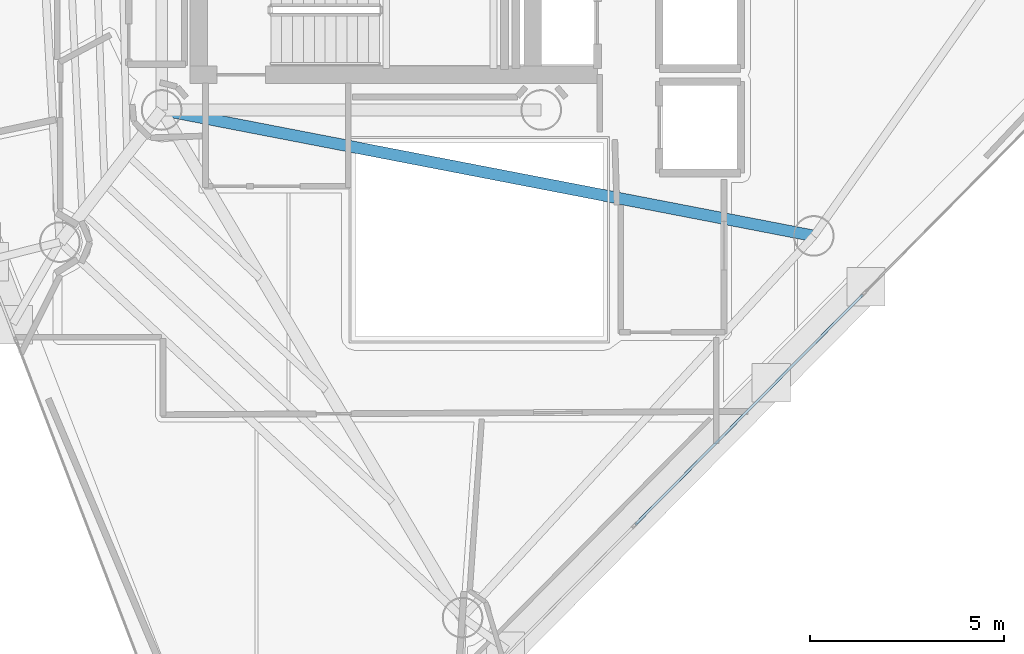
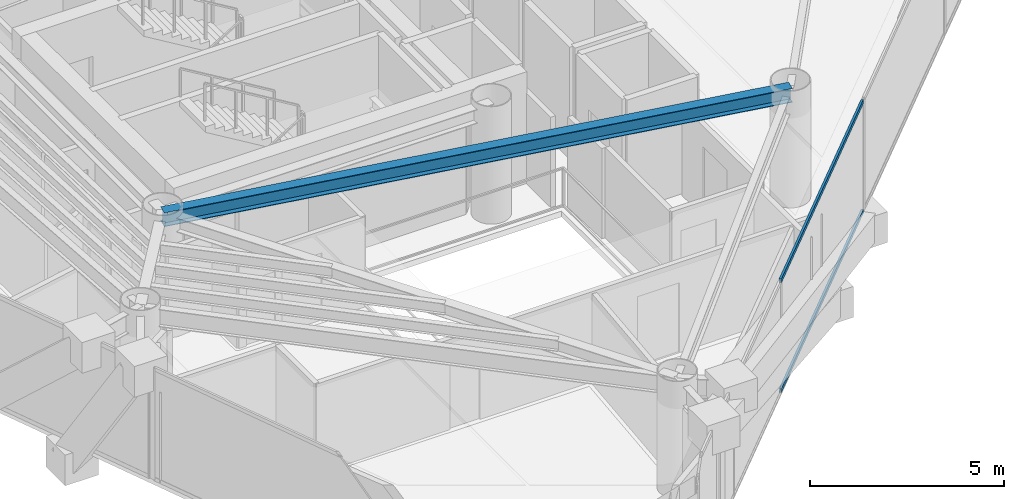
# One storey, part 5 of 20: 2 members, 1 beam, 1 element without a shape of its own.
"""IFC4 building model written with IfcOpenShell, lengths in metres."""

import ifcopenshell
import ifcopenshell.guid

model = None  # the IFC model being written
_history = None  # IfcOwnerHistory: only IFC2X3 demands one
_inside = {}  # id of a spatial element -> (the spatial element, [elements in it])
_under = {}  # id of a project, library or spatial element -> (it, [spatial elements below it])
_declared = {}  # id of a project -> (the project, [libraries it declares])
_typed = {}  # id of a type object -> (the type object, [elements of that type])
_made_of = {}  # id of a material, layer set ... -> (it, [elements and type objects made of it])


def new_model(schema):
    """Start an empty IFC model of exactly this schema.

    Asked for "IFC4X3", IfcOpenShell would pick the latest addendum, in which some entities
    have other attributes; the version numbers below select the first issue.
    IFC2X3 requires an IfcOwnerHistory on every rooted entity: one is made here for all.
    """
    global model, _history
    if schema == "IFC4X3":
        model = ifcopenshell.file(schema_version=(4, 3, 0, 0))
    else:
        model = ifcopenshell.file(schema=schema)
    _inside.clear()
    _under.clear()
    _declared.clear()
    _typed.clear()
    _made_of.clear()
    _history = None
    if model.schema == "IFC2X3":
        org = make("IfcOrganization", Name="unknown")
        user = make(
            "IfcPersonAndOrganization",
            ThePerson=make("IfcPerson", FamilyName="unknown"),
            TheOrganization=org,
        )
        app = make(
            "IfcApplication",
            ApplicationDeveloper=org,
            Version="unknown",
            ApplicationFullName="unknown",
            ApplicationIdentifier="unknown",
        )
        _history = make(
            "IfcOwnerHistory",
            OwningUser=user,
            OwningApplication=app,
            ChangeAction="ADDED",
            CreationDate=0,
        )
    return model


def make(cls, **values):
    """One entity of the class cls with the attributes given. An attribute that is None is left unset."""
    return model.create_entity(
        cls, **{name: value for name, value in values.items() if value is not None}
    )


def rooted(cls, **values):
    """An entity with a GlobalId (a new one), such as an element, a storey or a relation."""
    return make(cls, GlobalId=ifcopenshell.guid.new(), OwnerHistory=_history, **values)


def si_unit(unit_type, name, prefix=None):
    """IfcSIUnit, for example si_unit("LENGTHUNIT", "METRE", prefix="MILLI")."""
    return make("IfcSIUnit", UnitType=unit_type, Prefix=prefix, Name=name)


def assignment(units):
    """IfcUnitAssignment: the units of a project."""
    return None if units is None else make("IfcUnitAssignment", Units=units)


def point(xyz):
    """IfcCartesianPoint."""
    return None if xyz is None else make("IfcCartesianPoint", Coordinates=xyz)


def direction(xyz):
    """IfcDirection."""
    return None if xyz is None else make("IfcDirection", DirectionRatios=xyz)


def frame(location, z_axis=None, x_axis=None):
    """IfcAxis2Placement3D, a coordinate frame: its origin and axes. An axis left out is left unset."""
    return make(
        "IfcAxis2Placement3D",
        Location=point(location),
        Axis=direction(z_axis),
        RefDirection=direction(x_axis),
    )


def frame_2d(location, x_axis=None):
    """IfcAxis2Placement2D, a coordinate frame in the plane: its origin and x axis."""
    return make(
        "IfcAxis2Placement2D", Location=point(location), RefDirection=direction(x_axis)
    )


def origin():
    """The frame at (0, 0, 0) with its axes left unset."""
    return frame((0.0, 0.0, 0.0))


def origin_2d():
    """The frame at (0, 0) in the plane with its x axis left unset."""
    return frame_2d((0.0, 0.0))


def place(relative_to, where):
    """IfcLocalPlacement: puts the frame where relative to a parent placement (None: the world)."""
    return make(
        "IfcLocalPlacement", PlacementRelTo=relative_to, RelativePlacement=where
    )


def context(
    kind, dimensions, precision=None, world=None, true_north=None, identifier=None
):
    """IfcGeometricRepresentationContext, for example the 3D "Model" context."""
    return make(
        "IfcGeometricRepresentationContext",
        ContextIdentifier=identifier,
        ContextType=kind,
        CoordinateSpaceDimension=dimensions,
        Precision=precision,
        WorldCoordinateSystem=world,
        TrueNorth=true_north,
    )


def subcontext(parent, identifier, kind, view, scale=None):
    """IfcGeometricRepresentationSubContext, for example "Body" below "Model"."""
    return make(
        "IfcGeometricRepresentationSubContext",
        ContextIdentifier=identifier,
        ContextType=kind,
        ParentContext=parent,
        TargetScale=scale,
        TargetView=view,
    )


def project(units=None, contexts=None):
    """IfcProject with its units and contexts."""
    return rooted(
        "IfcProject",
        Name="project",
        RepresentationContexts=contexts,
        UnitsInContext=assignment(units),
    )


def spatial(cls, under=None, at=None, **own):
    """A site, building, storey or space (cls), placed at a placement, below another one or the project."""
    s = rooted(cls, ObjectPlacement=at, **own)
    if under is not None:
        _under.setdefault(under.id(), (under, []))[1].append(s)
    return s


def profile(cls, at=None, kind="AREA", **sizes):
    """A parametric profile (cls). Its sizes go by their IFC names, for example OverallWidth=200.0."""
    return make(cls, ProfileType=kind, Position=at, **sizes)


def hollow_rectangle(**sizes):
    """IfcRectangleHollowProfileDef."""
    return profile("IfcRectangleHollowProfileDef", **sizes)


def i_section(**sizes):
    """IfcIShapeProfileDef."""
    return profile("IfcIShapeProfileDef", **sizes)


def extrude(swept, where, along, depth):
    """IfcExtrudedAreaSolid: the profile swept, set in the frame where, extruded along a direction by depth."""
    return make(
        "IfcExtrudedAreaSolid",
        SweptArea=swept,
        Position=where,
        ExtrudedDirection=direction(along),
        Depth=depth,
    )


def shape(context_of_items, identifier, shape_type, items):
    """IfcShapeRepresentation: the items that make up one representation, for example the "Body"."""
    return make(
        "IfcShapeRepresentation",
        ContextOfItems=context_of_items,
        RepresentationIdentifier=identifier,
        RepresentationType=shape_type,
        Items=items,
    )


def material(Name=None, Category=None):
    """IfcMaterial."""
    return make("IfcMaterial", Name=Name, Category=Category)


def layer(
    of_material, thickness, ventilated=None, Name=None, Category=None, Priority=None
):
    """IfcMaterialLayer: one layer of a wall or slab, of a material (None: an air gap)."""
    return make(
        "IfcMaterialLayer",
        Material=of_material,
        LayerThickness=thickness,
        IsVentilated=ventilated,
        Name=Name,
        Category=Category,
        Priority=Priority,
    )


def layer_set(layers, Name=None):
    """IfcMaterialLayerSet."""
    return make("IfcMaterialLayerSet", MaterialLayers=layers, LayerSetName=Name)


def material_profile(
    of_material, cross_section, Name=None, Category=None, Priority=None
):
    """IfcMaterialProfile: a cross section and its material."""
    return make(
        "IfcMaterialProfile",
        Name=Name,
        Material=of_material,
        Profile=cross_section,
        Priority=Priority,
        Category=Category,
    )


def profile_set(profiles, Name=None, composite=None):
    """IfcMaterialProfileSet."""
    return make(
        "IfcMaterialProfileSet",
        Name=Name,
        MaterialProfiles=profiles,
        CompositeProfile=composite,
    )


def made_of(thing, what):
    """Note that an element or type object is made of a material, layer set ...; save() writes the relation."""
    if what is not None:
        _made_of.setdefault(what.id(), (what, []))[1].append(thing)
    return thing


def type_object(cls, material=None, **own):
    """A type object (cls), such as IfcWallType, which elements share."""
    return made_of(rooted(cls, **own), material)


def element(
    cls,
    number,
    at=None,
    inside=None,
    cuts=None,
    type_object=None,
    material=None,
    context=None,
    identifier="Body",
    shape_type=None,
    held_by="IfcProductDefinitionShape",
    body=None,
    shapes=None,
    **own,
):
    """One element of the class cls, such as IfcWall. Its Tag is "e" and its number.

    at: its placement. inside: the storey or other place that contains it. cuts: it is an
    opening in that element (IfcRelVoidsElement). A single representation is given by context,
    identifier, shape_type and body (its items); several are given by shapes. held_by: the class
    of the entity that holds the representations. save() writes the other relations.
    """
    e = rooted(cls, Tag="e%d" % number, ObjectPlacement=at, **own)
    if body is not None:
        shapes = [shape(context, identifier, shape_type, body)]
    if shapes is not None:
        e.Representation = make(held_by, Representations=shapes)
    if inside is not None:
        _inside.setdefault(inside.id(), (inside, []))[1].append(e)
    if cuts is not None:
        rooted(
            "IfcRelVoidsElement", RelatingBuildingElement=cuts, RelatedOpeningElement=e
        )
    if type_object is not None:
        _typed.setdefault(type_object.id(), (type_object, []))[1].append(e)
    return made_of(e, material)


def aggregate(whole, parts):
    """IfcRelAggregates: a whole, such as a stair, and the parts it consists of."""
    return rooted("IfcRelAggregates", RelatingObject=whole, RelatedObjects=parts)


def save(model, path):
    """Write the relations noted so far, then the file.

    IfcRelAggregates (storeys below a building ...), IfcRelContainedInSpatialStructure (elements
    in a storey), IfcRelDefinesByType, IfcRelAssociatesMaterial and IfcRelDeclares: one each for
    every whole, place, type object, material and project.
    """
    for whole, parts in _under.values():
        aggregate(whole, parts)
    for where, things in _inside.values():
        rooted(
            "IfcRelContainedInSpatialStructure",
            RelatedElements=things,
            RelatingStructure=where,
        )
    for kind, things in _typed.values():
        rooted("IfcRelDefinesByType", RelatedObjects=things, RelatingType=kind)
    for what, things in _made_of.values():
        rooted("IfcRelAssociatesMaterial", RelatedObjects=things, RelatingMaterial=what)
    for by, libraries in _declared.values():
        rooted("IfcRelDeclares", RelatingContext=by, RelatedDefinitions=libraries)
    model.write(path)


model = new_model("IFC4")

# Units and contexts
model_context = context("Model", 3, precision=1e-05, world=origin(), true_north=direction((0.0, 1.0)))
body_context = subcontext(model_context, "Body", "Model", "MODEL_VIEW")
ifc_project = project(units=[si_unit("LENGTHUNIT", "METRE"), si_unit("AREAUNIT", "SQUARE_METRE"), si_unit("VOLUMEUNIT", "CUBIC_METRE"), si_unit("PLANEANGLEUNIT", "RADIAN"), si_unit("MASSUNIT", "GRAM", prefix="KILO")], contexts=[model_context])

# Site, building, storey
site_placement = place(None, origin())
site = spatial("IfcSite", under=ifc_project, at=site_placement, CompositionType="ELEMENT")
building_placement = place(site_placement, origin())
building = spatial("IfcBuilding", under=site, at=building_placement, Name="Qianvela Tower", CompositionType="ELEMENT")
storey_placement = place(building_placement, frame((0.0, 0.0, 239.0)))
storey = spatial("IfcBuildingStorey", under=building, at=storey_placement, Name="L61", CompositionType="ELEMENT", Elevation=239.0)

# Beam
ifc_material_1 = material(Name="Steel Q355B", Category="steel")
ifc_material_profile_1 = material_profile(ifc_material_1, i_section(OverallWidth=0.300048828125, OverallDepth=0.43994140625, WebThickness=0.010986328125, FlangeThickness=0.01806640625, at=origin_2d()), Name="HM440x300x11x18")
ifc_profile_set_1 = profile_set([ifc_material_profile_1], Name="Steel Q355B")
beam_type = type_object("IfcBeamType", Name="BM-HM440-COLL", PredefinedType="BEAM", material=ifc_profile_set_1)
beam_placement = place(storey_placement, frame((28.60009765625, 23.85009765625, 3.298095703125), z_axis=(0.981849104236, -0.189663745904, 0.0), x_axis=(0.189663745904, 0.981849104236, 0.0)))
element("IfcBeam", 1, at=beam_placement, inside=storey, type_object=beam_type, Name="L61 Radial Primary Floor Girder 6", PredefinedType="BEAM", context=body_context, shape_type="SweptSolid", body=[
    extrude(i_section(OverallWidth=0.300048828125, OverallDepth=0.43994140625, WebThickness=0.010986328125, FlangeThickness=0.01806640625, at=origin_2d()), origin(), (0.0, 0.0, 1.0), 17.147216796875),
])

# Curtain wall, members
ifc_material_2 = material(Name="Anodised Architectural Aluminium and Insulated Spandrel Panel", Category="aluminium")
ifc_layer = layer(ifc_material_2, 0.179931640625)
ifc_layer_set = layer_set([ifc_layer], Name="Anodised Architectural Aluminium and Insulated Spandrel Panel")
curtain_wall_type = type_object("IfcCurtainWallType", Name="CW-BRACEBAY", PredefinedType="USERDEFINED", material=ifc_layer_set)
curtain_wall_placement = place(storey_placement, origin())
curtain_wall = element("IfcCurtainWall", 2, at=curtain_wall_placement, inside=storey, type_object=curtain_wall_type, Name="L61 CW-BRACEBAY Curtain Wall 06A", ObjectType="CURTAIN_WALL_SYSTEM", PredefinedType="USERDEFINED")
ifc_material_3 = material(Name="Anodised Architectural Aluminium 6063-T6", Category="aluminium")
ifc_material_profile_2 = material_profile(ifc_material_3, hollow_rectangle(XDim=0.06494140625, YDim=0.1298828125, WallThickness=0.00439453125, at=origin_2d()), Name="ALU-TRAN-65x130")
ifc_profile_set_2 = profile_set([ifc_material_profile_2], Name="Anodised Architectural Aluminium 6063-T6")
member_type = type_object("IfcMemberType", Name="CW-BRACEBAY-TRAN", PredefinedType="USERDEFINED", material=ifc_profile_set_2)
member_1_placement = place(storey_placement, frame((40.828857421875, 13.14599609375, 0.032470703125), z_axis=(0.703233275046, 0.710959183686, 0.0), x_axis=(-0.710959183686, 0.703233275046, 0.0)))
member_1 = element("IfcMember", 3, at=member_1_placement, type_object=member_type, Name="CW-9 transom 2.1", ObjectType="TRANSOM", PredefinedType="USERDEFINED", context=body_context, shape_type="SweptSolid", body=[
    extrude(hollow_rectangle(XDim=0.06494140625, YDim=0.1298828125, WallThickness=0.00439453125, at=origin_2d()), origin(), (0.0, 0.0, 1.0), 8.342529296875),
])
member_2_placement = place(storey_placement, frame((40.828857421875, 13.14599609375, 3.487548828125), z_axis=(0.703233275046, 0.710959183686, 0.0), x_axis=(-0.710959183686, 0.703233275046, 0.0)))
member_2 = element("IfcMember", 4, at=member_2_placement, type_object=member_type, Name="CW-9 transom 2.2", ObjectType="TRANSOM", PredefinedType="USERDEFINED", context=body_context, shape_type="SweptSolid", body=[
    extrude(hollow_rectangle(XDim=0.06494140625, YDim=0.1298828125, WallThickness=0.00439453125, at=origin_2d()), origin(), (0.0, 0.0, 1.0), 8.342529296875),
])
aggregate(curtain_wall, [member_1, member_2])

save(model, "model.ifc")
